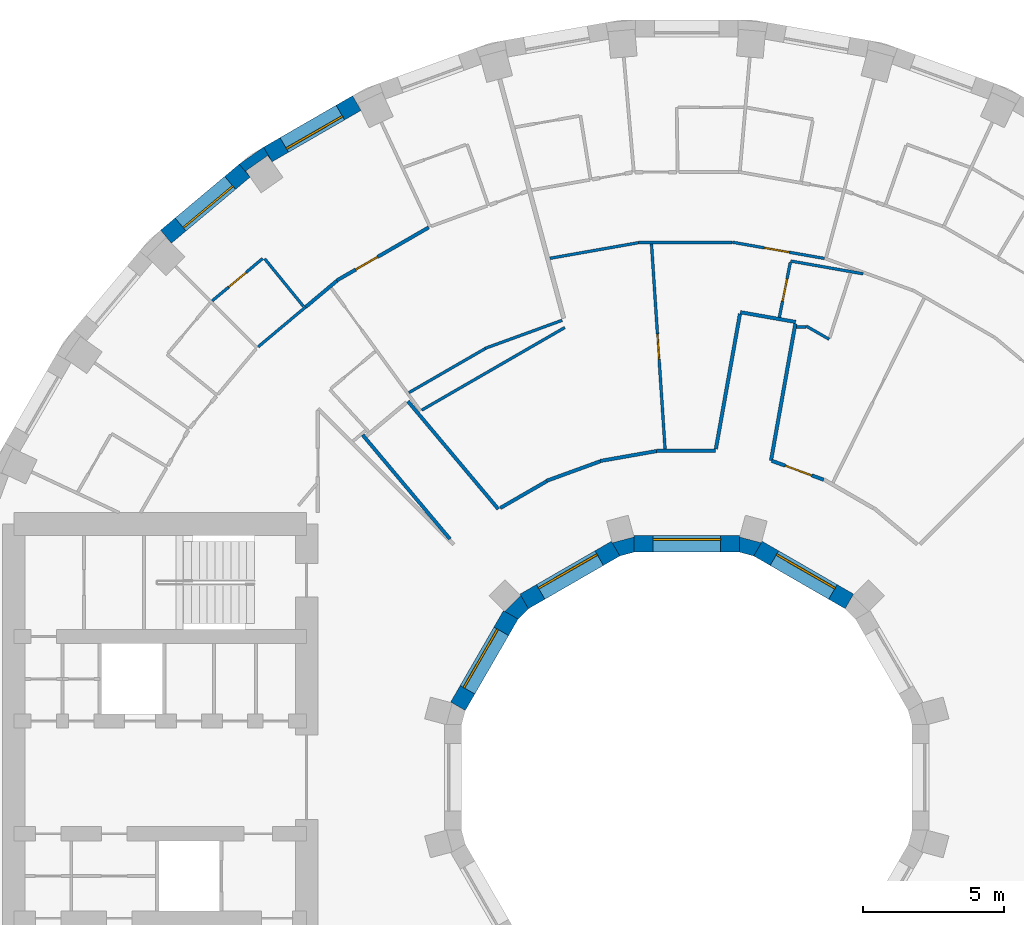
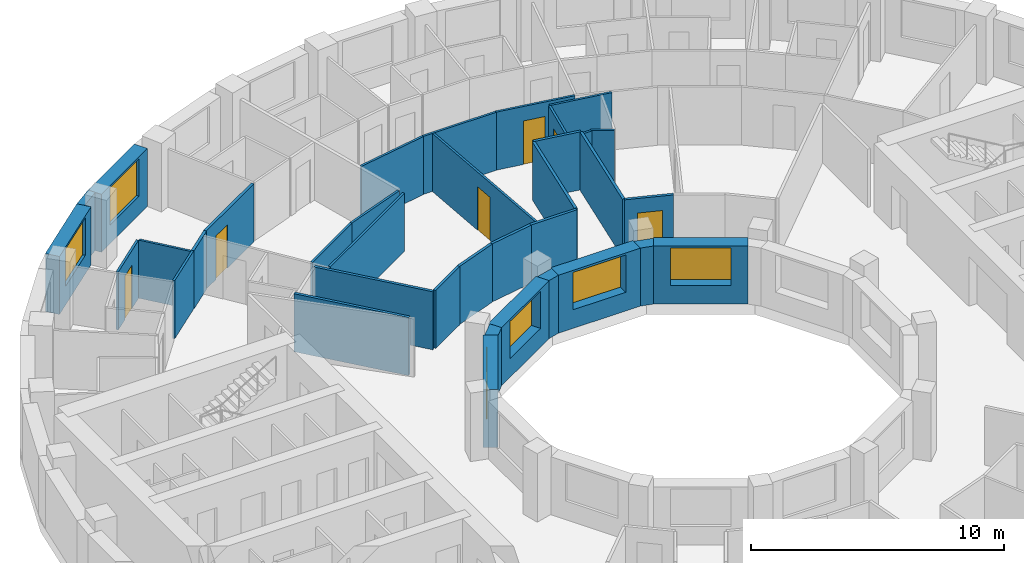
# One storey, part 12 of 16: 36 walls, 6 doors, 6 windows, 12 openings.
"""IFC4 building model written with IfcOpenShell, lengths in metres."""

from ifc_helpers import new_model, si_unit, direction, frame, frame_2d, origin, place, context, subcontext, project, spatial, polyline, rectangle, outline, extrude, material, layer, layer_set, type_object, element, fill, save


model = new_model("IFC4")

# Units and contexts
model_context = context("Model", 3, precision=1e-05, world=origin(), true_north=direction((0.0, 1.0)))
body_context = subcontext(model_context, "Body", "Model", "MODEL_VIEW")
ifc_project = project(units=[si_unit("LENGTHUNIT", "METRE"), si_unit("AREAUNIT", "SQUARE_METRE"), si_unit("VOLUMEUNIT", "CUBIC_METRE"), si_unit("PLANEANGLEUNIT", "RADIAN"), si_unit("MASSUNIT", "GRAM", prefix="KILO")], contexts=[model_context])

# Site, building, storey
site_placement = place(None, origin())
site = spatial("IfcSite", under=ifc_project, at=site_placement, CompositionType="ELEMENT")
building_placement = place(site_placement, origin())
building = spatial("IfcBuilding", under=site, at=building_placement, Name="Saqina Gate Tower", CompositionType="ELEMENT")
storey_placement = place(building_placement, frame((0.0, 0.0, 144.699951171875)))
storey = spatial("IfcBuildingStorey", under=building, at=storey_placement, Name="L41", CompositionType="ELEMENT", Elevation=144.699951171875)

# Wall
ifc_material_1 = material(Name="Brick masonry (buff)", Category="masonry")
wall_type_1 = type_object("IfcWallType", Name="BRICK PIER COPING BUFF", PredefinedType="SOLIDWALL", material=ifc_material_1)
wall_1_placement = place(storey_placement, origin())
element("IfcWall", 1, at=wall_1_placement, inside=storey, type_object=wall_type_1, Name="Pier cap L41 column 13", PredefinedType="SOLIDWALL", context=body_context, shape_type="SweptSolid", body=[
    extrude(outline(polyline([(-15.89208984375, 21.77685546875), (-15.50634765625, 21.317138671875), (-15.66064453125, 21.53759765625), (-14.88232421875, 22.08251953125), (-14.728271484375, 21.862060546875), (-15.0283203125, 22.3818359375), (-15.89208984375, 21.77685546875)])), origin(), (0.0, 0.0, 1.0), 2.800048828125),
])

# Wall, opening, window
ifc_material_2 = material(Name="Brick masonry (buff)", Category="masonry")
ifc_layer_1 = layer(ifc_material_2, 0.60009765625)
ifc_layer_set_1 = layer_set([ifc_layer_1], Name="FW-BRICK-BUFF")
wall_type_2 = type_object("IfcWallType", Name="FW-BRICK-BUFF", PredefinedType="SOLIDWALL", material=ifc_layer_set_1)
wall_2_placement = place(storey_placement, frame((-11.718994140625, 23.94580078125, 0.0), z_axis=(0.0, 0.0, 1.0), x_axis=(-0.866051847062, -0.499954196102, 0.0)))
wall_2 = element("IfcWall", 2, at=wall_2_placement, inside=storey, type_object=wall_type_2, Name="Facade wall L41 facet 12", PredefinedType="SOLIDWALL", context=body_context, shape_type="SweptSolid", body=[
    extrude(rectangle(XDim=3.647705078125, YDim=0.60009765625, at=frame_2d((1.82373046875, 0.0))), origin(), (0.0, 0.0, 1.0), 2.800048828125),
])
opening_1_placement = place(wall_2_placement, frame((0.673828125, 0.0, 0.89990234375)))
opening_1 = element("IfcOpeningElement", 3, at=opening_1_placement, cuts=wall_2, Name="Opening G12-W10", PredefinedType="OPENING", context=body_context, shape_type="SweptSolid", body=[
    extrude(rectangle(XDim=2.300048828125, YDim=1.800048828125, at=frame_2d((1.14990234375, 0.89990234375))), frame((0.0, 0.31201171875, 0.0), z_axis=(0.0, -1.0, 0.0), x_axis=(1.0, 0.0, 0.0)), (0.0, 0.0, 1.0), 0.6240234375),
])
ifc_material_3 = material(Name="Aluminium glazing", Category="aluminium")
window_type_1 = type_object("IfcWindowType", Name="WN-B", PartitioningType="SINGLE_PANEL", PredefinedType="WINDOW", material=ifc_material_3)
window_1_placement = place(opening_1_placement, origin())
window_1 = element("IfcWindow", 4, at=window_1_placement, inside=storey, type_object=window_type_1, Name="Window L41 facet 12", OverallHeight=1.800048828125, OverallWidth=2.300048828125, PartitioningType="SINGLE_PANEL", PredefinedType="WINDOW", context=body_context, shape_type="SweptSolid", body=[
    extrude(rectangle(XDim=2.300048828125, YDim=1.800048828125, at=frame_2d((1.14990234375, 0.89990234375))), frame((0.0, 0.179931640625, 0.0), z_axis=(0.0, -1.0, 0.0), x_axis=(1.0, 0.0, 0.0)), (0.0, 0.0, 1.0), 0.06005859375),
])
fill(opening_1, window_1)

wall_3_placement = place(storey_placement, frame((-15.69921875, 21.547119140625, 0.0), z_axis=(0.0, 0.0, 1.0), x_axis=(-0.766055462616, -0.642774476932, 0.0)))
wall_3 = element("IfcWall", 5, at=wall_3_placement, inside=storey, type_object=wall_type_2, Name="Facade wall L41 facet 13", PredefinedType="SOLIDWALL", context=body_context, shape_type="SweptSolid", body=[
    extrude(rectangle(XDim=3.647705078125, YDim=0.60009765625, at=frame_2d((1.82373046875, 0.0))), origin(), (0.0, 0.0, 1.0), 2.800048828125),
])
opening_2_placement = place(wall_3_placement, frame((0.673828125, 0.0, 0.89990234375)))
opening_2 = element("IfcOpeningElement", 6, at=opening_2_placement, cuts=wall_3, Name="Opening G12-W11", PredefinedType="OPENING", context=body_context, shape_type="SweptSolid", body=[
    extrude(rectangle(XDim=2.300048828125, YDim=1.800048828125, at=frame_2d((1.14990234375, 0.89990234375))), frame((0.0, 0.31201171875, 0.0), z_axis=(0.0, -1.0, 0.0), x_axis=(1.0, 0.0, 0.0)), (0.0, 0.0, 1.0), 0.6240234375),
])
window_2_placement = place(opening_2_placement, origin())
window_2 = element("IfcWindow", 7, at=window_2_placement, inside=storey, type_object=window_type_1, Name="Window L41 facet 13", OverallHeight=1.800048828125, OverallWidth=2.300048828125, PartitioningType="SINGLE_PANEL", PredefinedType="WINDOW", context=body_context, shape_type="SweptSolid", body=[
    extrude(rectangle(XDim=2.300048828125, YDim=1.800048828125, at=frame_2d((1.14990234375, 0.89990234375))), frame((0.0, 0.179931640625, 0.0), z_axis=(0.0, -1.0, 0.0), x_axis=(1.0, 0.0, 0.0)), (0.0, 0.0, 1.0), 0.06005859375),
])
fill(opening_2, window_2)

ifc_material_4 = material(Name="Glazed ceramic tile", Category="ceramic")
ifc_layer_2 = layer(ifc_material_4, 0.60009765625)
ifc_layer_set_2 = layer_set([ifc_layer_2], Name="IW-TILE")
wall_type_3 = type_object("IfcWallType", Name="IW-TILE", PredefinedType="SOLIDWALL", material=ifc_layer_set_2)
wall_4_placement = place(storey_placement, frame((5.772705078125, 6.251220703125, 0.0), z_axis=(0.0, 0.0, 1.0), x_axis=(-0.86604563398, 0.499964958637, 0.0)))
wall_4 = element("IfcWall", 8, at=wall_4_placement, inside=storey, type_object=wall_type_3, Name="Well wall L41 facet 2", PredefinedType="SOLIDWALL", context=body_context, shape_type="SweptSolid", body=[
    extrude(rectangle(XDim=3.747314453125, YDim=0.60009765625, at=frame_2d((1.87353515625, 0.0))), origin(), (0.0, 0.0, 1.0), 2.800048828125),
])
opening_3_placement = place(wall_4_placement, frame((0.673583984375, 0.0, 0.89990234375)))
opening_3 = element("IfcOpeningElement", 9, at=opening_3_placement, cuts=wall_4, Name="Opening G12-W24", PredefinedType="OPENING", context=body_context, shape_type="SweptSolid", body=[
    extrude(rectangle(XDim=2.39990234375, YDim=1.800048828125, at=frame_2d((1.199951171875, 0.89990234375))), frame((0.0, 0.31201171875, 0.0), z_axis=(0.0, -1.0, 0.0), x_axis=(1.0, 0.0, 0.0)), (0.0, 0.0, 1.0), 0.6240234375),
])
ifc_material_5 = material(Name="Aluminium glazing", Category="aluminium")
window_type_2 = type_object("IfcWindowType", Name="WN-W", PartitioningType="SINGLE_PANEL", PredefinedType="WINDOW", material=ifc_material_5)
window_3_placement = place(opening_3_placement, origin())
window_3 = element("IfcWindow", 10, at=window_3_placement, inside=storey, type_object=window_type_2, Name="Well window L41 facet 2", OverallHeight=1.800048828125, OverallWidth=2.39990234375, PartitioningType="SINGLE_PANEL", PredefinedType="WINDOW", context=body_context, shape_type="SweptSolid", body=[
    extrude(rectangle(XDim=2.39990234375, YDim=1.800048828125, at=frame_2d((1.199951171875, 0.89990234375))), frame((0.0, -0.119873046875, 0.0), z_axis=(0.0, -1.0, 0.0), x_axis=(1.0, 0.0, 0.0)), (0.0, 0.0, 1.0), 0.06005859375),
])
fill(opening_3, window_3)

wall_5_placement = place(storey_placement, frame((1.873779296875, 8.300048828125, 0.0), z_axis=(0.0, 0.0, 1.0), x_axis=(-1.0, 0.0, 0.0)))
wall_5 = element("IfcWall", 11, at=wall_5_placement, inside=storey, type_object=wall_type_3, Name="Well wall L41 facet 3", PredefinedType="SOLIDWALL", context=body_context, shape_type="SweptSolid", body=[
    extrude(rectangle(XDim=3.74755859375, YDim=0.60009765625, at=frame_2d((1.873779296875, 0.0))), origin(), (0.0, 0.0, 1.0), 2.800048828125),
])
opening_4_placement = place(wall_5_placement, frame((0.673583984375, 0.0, 0.89990234375)))
opening_4 = element("IfcOpeningElement", 12, at=opening_4_placement, cuts=wall_5, Name="Opening G12-W25", PredefinedType="OPENING", context=body_context, shape_type="SweptSolid", body=[
    extrude(rectangle(XDim=2.39990234375, YDim=1.800048828125, at=frame_2d((1.199951171875, 0.89990234375))), frame((0.0, 0.31201171875, 0.0), z_axis=(0.0, -1.0, 0.0), x_axis=(1.0, 0.0, 0.0)), (0.0, 0.0, 1.0), 0.6240234375),
])
window_4_placement = place(opening_4_placement, origin())
window_4 = element("IfcWindow", 13, at=window_4_placement, inside=storey, type_object=window_type_2, Name="Well window L41 facet 3", OverallHeight=1.800048828125, OverallWidth=2.39990234375, PartitioningType="SINGLE_PANEL", PredefinedType="WINDOW", context=body_context, shape_type="SweptSolid", body=[
    extrude(rectangle(XDim=2.39990234375, YDim=1.800048828125, at=frame_2d((1.199951171875, 0.89990234375))), frame((0.0, -0.119873046875, 0.0), z_axis=(0.0, -1.0, 0.0), x_axis=(1.0, 0.0, 0.0)), (0.0, 0.0, 1.0), 0.06005859375),
])
fill(opening_4, window_4)

wall_6_placement = place(storey_placement, frame((-2.52734375, 8.124755859375, 0.0), z_axis=(0.0, 0.0, 1.0), x_axis=(-0.86604563398, -0.499964958637, 0.0)))
wall_6 = element("IfcWall", 14, at=wall_6_placement, inside=storey, type_object=wall_type_3, Name="Well wall L41 facet 4", PredefinedType="SOLIDWALL", context=body_context, shape_type="SweptSolid", body=[
    extrude(rectangle(XDim=3.747314453125, YDim=0.60009765625, at=frame_2d((1.87353515625, 0.0))), origin(), (0.0, 0.0, 1.0), 2.800048828125),
])
opening_5_placement = place(wall_6_placement, frame((0.673583984375, 0.0, 0.89990234375)))
opening_5 = element("IfcOpeningElement", 15, at=opening_5_placement, cuts=wall_6, Name="Opening G12-W26", PredefinedType="OPENING", context=body_context, shape_type="SweptSolid", body=[
    extrude(rectangle(XDim=2.39990234375, YDim=1.800048828125, at=frame_2d((1.199951171875, 0.89990234375))), frame((0.0, 0.31201171875, 0.0), z_axis=(0.0, -1.0, 0.0), x_axis=(1.0, 0.0, 0.0)), (0.0, 0.0, 1.0), 0.6240234375),
])
window_5_placement = place(opening_5_placement, origin())
window_5 = element("IfcWindow", 16, at=window_5_placement, inside=storey, type_object=window_type_2, Name="Well window L41 facet 4", OverallHeight=1.800048828125, OverallWidth=2.39990234375, PartitioningType="SINGLE_PANEL", PredefinedType="WINDOW", context=body_context, shape_type="SweptSolid", body=[
    extrude(rectangle(XDim=2.39990234375, YDim=1.800048828125, at=frame_2d((1.199951171875, 0.89990234375))), frame((0.0, -0.119873046875, 0.0), z_axis=(0.0, -1.0, 0.0), x_axis=(1.0, 0.0, 0.0)), (0.0, 0.0, 1.0), 0.06005859375),
])
fill(opening_5, window_5)

wall_7_placement = place(storey_placement, frame((-6.251220703125, 5.772705078125, 0.0), z_axis=(0.0, 0.0, 1.0), x_axis=(-0.499964958637, -0.86604563398, 0.0)))
wall_7 = element("IfcWall", 17, at=wall_7_placement, inside=storey, type_object=wall_type_3, Name="Well wall L41 facet 5", PredefinedType="SOLIDWALL", context=body_context, shape_type="SweptSolid", body=[
    extrude(rectangle(XDim=3.747314453125, YDim=0.60009765625, at=frame_2d((1.87353515625, 0.0))), origin(), (0.0, 0.0, 1.0), 2.800048828125),
])
opening_6_placement = place(wall_7_placement, frame((0.673583984375, 0.0, 0.89990234375)))
opening_6 = element("IfcOpeningElement", 18, at=opening_6_placement, cuts=wall_7, Name="Opening G12-W27", PredefinedType="OPENING", context=body_context, shape_type="SweptSolid", body=[
    extrude(rectangle(XDim=2.39990234375, YDim=1.800048828125, at=frame_2d((1.199951171875, 0.89990234375))), frame((0.0, 0.31201171875, 0.0), z_axis=(0.0, -1.0, 0.0), x_axis=(1.0, 0.0, 0.0)), (0.0, 0.0, 1.0), 0.6240234375),
])
window_6_placement = place(opening_6_placement, origin())
window_6 = element("IfcWindow", 19, at=window_6_placement, inside=storey, type_object=window_type_2, Name="Well window L41 facet 5", OverallHeight=1.800048828125, OverallWidth=2.39990234375, PartitioningType="SINGLE_PANEL", PredefinedType="WINDOW", context=body_context, shape_type="SweptSolid", body=[
    extrude(rectangle(XDim=2.39990234375, YDim=1.800048828125, at=frame_2d((1.199951171875, 0.89990234375))), frame((0.0, -0.119873046875, 0.0), z_axis=(0.0, -1.0, 0.0), x_axis=(1.0, 0.0, 0.0)), (0.0, 0.0, 1.0), 0.06005859375),
])
fill(opening_6, window_6)

# Wall, opening, door
ifc_material_6 = material(Name="Gypsum board on steel studs, 100 mm", Category="steel")
ifc_layer_3 = layer(ifc_material_6, 0.10009765625)
ifc_layer_set_3 = layer_set([ifc_layer_3], Name="PARTITION 100")
wall_type_4 = type_object("IfcWallType", Name="PARTITION 100", PredefinedType="PARTITIONING", material=ifc_layer_set_3)
wall_8_placement = place(storey_placement, frame((-1.253662109375, 18.94921875, 0.0), z_axis=(0.0, 0.0, 1.0), x_axis=(0.066059696755, -0.997815672589, 0.0)))
wall_8 = element("IfcWall", 20, at=wall_8_placement, inside=storey, type_object=wall_type_4, Name="PARTITION PW3-02", PredefinedType="PARTITIONING", context=body_context, shape_type="SweptSolid", body=[
    extrude(rectangle(XDim=7.302734375, YDim=0.10009765625, at=frame_2d((3.6513671875, 0.0))), origin(), (0.0, 0.0, 1.0), 2.800048828125),
])
opening_7_placement = place(wall_8_placement, frame((3.20849609375, 0.0, 0.0)))
opening_7 = element("IfcOpeningElement", 21, at=opening_7_placement, cuts=wall_8, Name="Opening G12-D18", PredefinedType="OPENING", context=body_context, shape_type="SweptSolid", body=[
    extrude(rectangle(XDim=0.89990234375, YDim=2.10009765625, at=frame_2d((0.449951171875, 1.050048828125))), frame((0.0, 0.06201171875, 0.0), z_axis=(0.0, -1.0, 0.0), x_axis=(1.0, 0.0, 0.0)), (0.0, 0.0, 1.0), 0.1240234375),
])
ifc_material_7 = material(Name="Timber door leaf, 900 mm", Category="wood")
door_type_1 = type_object("IfcDoorType", Name="DOOR 900 TIMBER", OperationType="SINGLE_SWING_LEFT", PredefinedType="DOOR", material=ifc_material_7)
door_1_placement = place(opening_7_placement, origin())
door_1 = element("IfcDoor", 22, at=door_1_placement, inside=storey, type_object=door_type_1, Name="DOOR G12-D18", OperationType="SINGLE_SWING_RIGHT", OverallHeight=2.10009765625, OverallWidth=0.89990234375, PredefinedType="DOOR", context=body_context, shape_type="SweptSolid", body=[
    extrude(rectangle(XDim=0.89990234375, YDim=2.10009765625, at=frame_2d((0.449951171875, 1.050048828125))), frame((0.0, 0.02490234375, 0.0), z_axis=(0.0, -1.0, 0.0), x_axis=(1.0, 0.0, 0.0)), (0.0, 0.0, 1.0), 0.050048828125),
])
fill(opening_7, door_1)

# Walls
wall_9_placement = place(storey_placement, frame((-14.98876953125, 18.419189453125, 0.0), z_axis=(0.0, 0.0, 1.0), x_axis=(0.63124481093, -0.775583643893, 0.0)))
element("IfcWall", 23, at=wall_9_placement, inside=storey, type_object=wall_type_4, Name="PARTITION PW3-15", PredefinedType="PARTITIONING", context=body_context, shape_type="SweptSolid", body=[
    extrude(rectangle(XDim=2.18359375, YDim=0.10009765625, at=frame_2d((1.091796875, 0.0))), origin(), (0.0, 0.0, 1.0), 2.800048828125),
])
wall_10_placement = place(storey_placement, frame((4.238037109375, 16.03076171875, 0.0), z_axis=(0.0, 0.0, 1.0), x_axis=(0.866215708717, -0.499670237228, 0.0)))
element("IfcWall", 24, at=wall_10_placement, inside=storey, type_object=wall_type_4, Name="PARTITION PW3-41", PredefinedType="PARTITIONING", context=body_context, shape_type="SweptSolid", body=[
    extrude(rectangle(XDim=0.944580078125, YDim=0.10009765625, at=frame_2d((0.47216796875, 0.0))), origin(), (0.0, 0.0, 1.0), 2.800048828125),
])
wall_11_placement = place(storey_placement, frame((3.68798828125, 18.337890625, 0.0), z_axis=(0.0, 0.0, 1.0), x_axis=(0.984859586639, -0.173353957572, 0.0)))
element("IfcWall", 25, at=wall_11_placement, inside=storey, type_object=wall_type_4, Name="PARTITION PW3-56", PredefinedType="PARTITIONING", context=body_context, shape_type="SweptSolid", body=[
    extrude(rectangle(XDim=2.615234375, YDim=0.10009765625, at=frame_2d((1.3076171875, 0.0))), origin(), (0.0, 0.0, 1.0), 2.800048828125),
])

# Wall, opening, door
wall_12_placement = place(storey_placement, frame((1.612060546875, 19.0078125, 0.0), z_axis=(0.0, 0.0, 1.0), x_axis=(0.984770991222, -0.173856535243, 0.0)))
wall_12 = element("IfcWall", 26, at=wall_12_placement, inside=storey, type_object=wall_type_4, Name="PARTITION PW3-57", PredefinedType="PARTITIONING", context=body_context, shape_type="SweptSolid", body=[
    extrude(rectangle(XDim=3.3251953125, YDim=0.10009765625, at=frame_2d((1.66259765625, 0.0))), origin(), (0.0, 0.0, 1.0), 2.800048828125),
])
opening_8_placement = place(wall_12_placement, frame((1.1630859375, 0.0, 0.0)))
opening_8 = element("IfcOpeningElement", 27, at=opening_8_placement, cuts=wall_12, Name="Opening G12-D14", PredefinedType="OPENING", context=body_context, shape_type="SweptSolid", body=[
    extrude(rectangle(XDim=0.89990234375, YDim=2.10009765625, at=frame_2d((0.449951171875, 1.050048828125))), frame((0.0, 0.06201171875, 0.0), z_axis=(0.0, -1.0, 0.0), x_axis=(1.0, 0.0, 0.0)), (0.0, 0.0, 1.0), 0.1240234375),
])
door_2_placement = place(opening_8_placement, frame((0.89990234375, 0.0, 0.0), z_axis=(0.0, 0.0, 1.0), x_axis=(-1.0, 0.0, 0.0)))
door_2 = element("IfcDoor", 28, at=door_2_placement, inside=storey, type_object=door_type_1, Name="DOOR G12-D14", OperationType="SINGLE_SWING_LEFT", OverallHeight=2.10009765625, OverallWidth=0.89990234375, PredefinedType="DOOR", context=body_context, shape_type="SweptSolid", body=[
    extrude(rectangle(XDim=0.89990234375, YDim=2.10009765625, at=frame_2d((0.449951171875, 1.050048828125))), frame((0.0, 0.02490234375, 0.0), z_axis=(0.0, -1.0, 0.0), x_axis=(1.0, 0.0, 0.0)), (0.0, 0.0, 1.0), 0.050048828125),
])
fill(opening_8, door_2)

# Walls
wall_13_placement = place(storey_placement, frame((3.89892578125, 16.0, 0.0), z_axis=(0.0, 0.0, 1.0), x_axis=(1.0, 0.0, 0.0)))
element("IfcWall", 29, at=wall_13_placement, inside=storey, type_object=wall_type_4, Name="PARTITION PW3-60", PredefinedType="PARTITIONING", context=body_context, shape_type="SweptSolid", body=[
    extrude(rectangle(XDim=0.339111328125, YDim=0.10009765625, at=frame_2d((0.16943359375, 0.0))), origin(), (0.0, 0.0, 1.0), 2.800048828125),
])
wall_14_placement = place(storey_placement, frame((-1.712890625, 18.9990234375, 0.0), z_axis=(0.0, 0.0, 1.0), x_axis=(1.0, 0.0, 0.0)))
element("IfcWall", 30, at=wall_14_placement, inside=storey, type_object=wall_type_4, Name="PARTITION PW3-61", PredefinedType="PARTITIONING", context=body_context, shape_type="SweptSolid", body=[
    extrude(rectangle(XDim=3.324951171875, YDim=0.10009765625, at=frame_2d((1.66259765625, 0.0))), origin(), (0.0, 0.0, 1.0), 2.800048828125),
])
wall_15_placement = place(storey_placement, frame((-4.862060546875, 18.43408203125, 0.0), z_axis=(0.0, 0.0, 1.0), x_axis=(0.984777412926, 0.173820157031, 0.0)))
element("IfcWall", 31, at=wall_15_placement, inside=storey, type_object=wall_type_4, Name="PARTITION PW3-64", PredefinedType="PARTITIONING", context=body_context, shape_type="SweptSolid", body=[
    extrude(rectangle(XDim=3.199462890625, YDim=0.10009765625, at=frame_2d((1.599609375, 0.0))), origin(), (0.0, 0.0, 1.0), 2.800048828125),
])
wall_16_placement = place(storey_placement, frame((-7.16064453125, 15.237548828125, 0.0), z_axis=(0.0, 0.0, 1.0), x_axis=(0.939722354216, 0.341938440346, 0.0)))
element("IfcWall", 32, at=wall_16_placement, inside=storey, type_object=wall_type_4, Name="PARTITION PW3-69", PredefinedType="PARTITIONING", context=body_context, shape_type="SweptSolid", body=[
    extrude(rectangle(XDim=2.909423828125, YDim=0.10009765625, at=frame_2d((1.45458984375, 0.0))), origin(), (0.0, 0.0, 1.0), 2.800048828125),
])
wall_17_placement = place(storey_placement, frame((-9.413818359375, 13.04296875, 0.0), z_axis=(0.0, 0.0, 1.0), x_axis=(0.866050468633, 0.499956583896, 0.0)))
element("IfcWall", 33, at=wall_17_placement, inside=storey, type_object=wall_type_4, Name="PARTITION PW3-75", PredefinedType="PARTITIONING", context=body_context, shape_type="SweptSolid", body=[
    extrude(rectangle(XDim=5.8671875, YDim=0.10009765625, at=frame_2d((2.93359375, 0.0))), origin(), (0.0, 0.0, 1.0), 2.800048828125),
])
wall_18_placement = place(storey_placement, frame((-9.8662109375, 13.66552734375, 0.0), z_axis=(0.0, 0.0, 1.0), x_axis=(0.866045268016, 0.499965592563, 0.0)))
element("IfcWall", 34, at=wall_18_placement, inside=storey, type_object=wall_type_4, Name="PARTITION PW3-76", PredefinedType="PARTITIONING", context=body_context, shape_type="SweptSolid", body=[
    extrude(rectangle(XDim=3.129150390625, YDim=0.10009765625, at=frame_2d((1.564453125, 0.0))), origin(), (0.0, 0.0, 1.0), 2.800048828125),
])
wall_19_placement = place(storey_placement, frame((-15.2197265625, 15.2919921875, 0.0), z_axis=(0.0, 0.0, 1.0), x_axis=(0.766073622953, 0.642752832911, 0.0)))
element("IfcWall", 35, at=wall_19_placement, inside=storey, type_object=wall_type_4, Name="PARTITION PW3-85", PredefinedType="PARTITIONING", context=body_context, shape_type="SweptSolid", body=[
    extrude(rectangle(XDim=2.203369140625, YDim=0.10009765625, at=frame_2d((1.1015625, 0.0))), origin(), (0.0, 0.0, 1.0), 2.800048828125),
])

# Wall, opening, door
wall_20_placement = place(storey_placement, frame((-16.852783203125, 16.923095703125, 0.0), z_axis=(0.0, 0.0, 1.0), x_axis=(0.765924716163, 0.642930267735, 0.0)))
wall_20 = element("IfcWall", 36, at=wall_20_placement, inside=storey, type_object=wall_type_4, Name="PARTITION PW3-86", PredefinedType="PARTITIONING", context=body_context, shape_type="SweptSolid", body=[
    extrude(rectangle(XDim=2.34033203125, YDim=0.10009765625, at=frame_2d((1.170166015625, 0.0))), origin(), (0.0, 0.0, 1.0), 2.800048828125),
])
opening_9_placement = place(wall_20_placement, frame((0.769287109375, 0.0, 0.0)))
opening_9 = element("IfcOpeningElement", 37, at=opening_9_placement, cuts=wall_20, Name="Opening G12-D26", PredefinedType="OPENING", context=body_context, shape_type="SweptSolid", body=[
    extrude(rectangle(XDim=0.800048828125, YDim=2.10009765625, at=frame_2d((0.39990234375, 1.050048828125))), frame((0.0, 0.06201171875, 0.0), z_axis=(0.0, -1.0, 0.0), x_axis=(1.0, 0.0, 0.0)), (0.0, 0.0, 1.0), 0.1240234375),
])
ifc_material_8 = material(Name="Timber door leaf, 800 mm", Category="wood")
door_type_2 = type_object("IfcDoorType", Name="DOOR 800 TIMBER", OperationType="SINGLE_SWING_LEFT", PredefinedType="DOOR", material=ifc_material_8)
door_3_placement = place(opening_9_placement, origin())
door_3 = element("IfcDoor", 38, at=door_3_placement, inside=storey, type_object=door_type_2, Name="DOOR G12-D26", OperationType="SINGLE_SWING_LEFT", OverallHeight=2.10009765625, OverallWidth=0.800048828125, PredefinedType="DOOR", context=body_context, shape_type="SweptSolid", body=[
    extrude(rectangle(XDim=0.800048828125, YDim=2.10009765625, at=frame_2d((0.39990234375, 1.050048828125))), frame((0.0, 0.02490234375, 0.0), z_axis=(0.0, -1.0, 0.0), x_axis=(1.0, 0.0, 0.0)), (0.0, 0.0, 1.0), 0.050048828125),
])
fill(opening_9, door_3)

wall_21_placement = place(storey_placement, frame((3.285400390625, 16.34033203125, 0.0), z_axis=(0.0, 0.0, 1.0), x_axis=(0.197131685641, 0.980377018558, 0.0)))
wall_21 = element("IfcWall", 39, at=wall_21_placement, inside=storey, type_object=wall_type_4, Name="PARTITION PW3-114", PredefinedType="PARTITIONING", context=body_context, shape_type="SweptSolid", body=[
    extrude(rectangle(XDim=1.98779296875, YDim=0.10009765625, at=frame_2d((0.993896484375, 0.0))), origin(), (0.0, 0.0, 1.0), 2.800048828125),
])
opening_10_placement = place(wall_21_placement, frame((0.587158203125, 0.0, 0.0)))
opening_10 = element("IfcOpeningElement", 40, at=opening_10_placement, cuts=wall_21, Name="Opening G12-D13", PredefinedType="OPENING", context=body_context, shape_type="SweptSolid", body=[
    extrude(rectangle(XDim=0.800048828125, YDim=2.10009765625, at=frame_2d((0.39990234375, 1.050048828125))), frame((0.0, 0.06201171875, 0.0), z_axis=(0.0, -1.0, 0.0), x_axis=(1.0, 0.0, 0.0)), (0.0, 0.0, 1.0), 0.1240234375),
])
door_4_placement = place(opening_10_placement, origin())
door_4 = element("IfcDoor", 41, at=door_4_placement, inside=storey, type_object=door_type_2, Name="DOOR G12-D13", OperationType="SINGLE_SWING_LEFT", OverallHeight=2.10009765625, OverallWidth=0.800048828125, PredefinedType="DOOR", context=body_context, shape_type="SweptSolid", body=[
    extrude(rectangle(XDim=0.800048828125, YDim=2.10009765625, at=frame_2d((0.39990234375, 1.050048828125))), frame((0.0, 0.02490234375, 0.0), z_axis=(0.0, -1.0, 0.0), x_axis=(1.0, 0.0, 0.0)), (0.0, 0.0, 1.0), 0.050048828125),
])
fill(opening_10, door_4)

# Walls
ifc_material_9 = material(Name="Gypsum board on steel studs, 125 mm, fire rated", Category="steel")
ifc_layer_4 = layer(ifc_material_9, 0.125)
ifc_layer_set_4 = layer_set([ifc_layer_4], Name="PARTITION EI 30 125")
wall_type_5 = type_object("IfcWallType", Name="PARTITION EI 30 125", PredefinedType="PARTITIONING", material=ifc_layer_set_4)
wall_22_placement = place(storey_placement, frame((-11.51123046875, 12.16357421875, 0.0), z_axis=(0.0, 0.0, 1.0), x_axis=(0.64269368401, -0.766123246308, 0.0)))
element("IfcWall", 42, at=wall_22_placement, inside=storey, type_object=wall_type_5, Name="PARTITION PW1-05", PredefinedType="PARTITIONING", context=body_context, shape_type="SweptSolid", body=[
    extrude(rectangle(XDim=4.826171875, YDim=0.125, at=frame_2d((2.4130859375, 0.0))), origin(), (0.0, 0.0, 1.0), 2.800048828125),
])
wall_23_placement = place(storey_placement, frame((-9.904052734375, 13.35888671875, 0.0), z_axis=(0.0, 0.0, 1.0), x_axis=(0.64260671374, -0.766196196451, 0.0)))
element("IfcWall", 43, at=wall_23_placement, inside=storey, type_object=wall_type_5, Name="PARTITION PW1-07", PredefinedType="PARTITIONING", context=body_context, shape_type="SweptSolid", body=[
    extrude(rectangle(XDim=4.999755859375, YDim=0.125, at=frame_2d((2.5, 0.0))), origin(), (0.0, 0.0, 1.0), 2.800048828125),
])

# Wall, opening, door
wall_24_placement = place(storey_placement, frame((3.012939453125, 11.24609375, 0.0), z_axis=(0.0, 0.0, 1.0), x_axis=(0.939532310436, -0.342460271633, 0.0)))
wall_24 = element("IfcWall", 44, at=wall_24_placement, inside=storey, type_object=wall_type_5, Name="PARTITION PW1-23", PredefinedType="PARTITIONING", context=body_context, shape_type="SweptSolid", body=[
    extrude(rectangle(XDim=1.967529296875, YDim=0.125, at=frame_2d((0.98388671875, 0.0))), origin(), (0.0, 0.0, 1.0), 2.800048828125),
])
opening_11_placement = place(wall_24_placement, frame((0.514892578125, 0.0, 0.0)))
opening_11 = element("IfcOpeningElement", 45, at=opening_11_placement, cuts=wall_24, Name="Opening G12-D10", PredefinedType="OPENING", context=body_context, shape_type="SweptSolid", body=[
    extrude(rectangle(XDim=1.0, YDim=2.10009765625, at=frame_2d((0.5, 1.050048828125))), frame((0.0, 0.074462890625, 0.0), z_axis=(0.0, -1.0, 0.0), x_axis=(1.0, 0.0, 0.0)), (0.0, 0.0, 1.0), 0.14892578125),
])
ifc_material_10 = material(Name="Fire door leaf EI 30, 1000 mm")
door_type_3 = type_object("IfcDoorType", Name="DOOR 1000 EI 30", OperationType="SINGLE_SWING_LEFT", PredefinedType="DOOR", material=ifc_material_10)
door_5_placement = place(opening_11_placement, origin())
door_5 = element("IfcDoor", 46, at=door_5_placement, inside=storey, type_object=door_type_3, Name="DOOR G12-D10", OperationType="SINGLE_SWING_LEFT", OverallHeight=2.10009765625, OverallWidth=1.0, PredefinedType="DOOR", context=body_context, shape_type="SweptSolid", body=[
    extrude(rectangle(XDim=1.0, YDim=2.10009765625, at=frame_2d((0.5, 1.050048828125))), frame((0.0, 0.02490234375, 0.0), z_axis=(0.0, -1.0, 0.0), x_axis=(1.0, 0.0, 0.0)), (0.0, 0.0, 1.0), 0.050048828125),
])
fill(opening_11, door_5)

# Walls
wall_25_placement = place(storey_placement, frame((1.89892578125, 16.520751953125, 0.0), z_axis=(0.0, 0.0, 1.0), x_axis=(0.984836400178, -0.173485633079, 0.0)))
element("IfcWall", 47, at=wall_25_placement, inside=storey, type_object=wall_type_5, Name="PARTITION PW1-26", PredefinedType="PARTITIONING", context=body_context, shape_type="SweptSolid", body=[
    extrude(rectangle(XDim=1.998291015625, YDim=0.125, at=frame_2d((0.9990234375, 0.0))), origin(), (0.0, 0.0, 1.0), 2.800048828125),
])
wall_26_placement = place(storey_placement, frame((-1.078369140625, 11.60009765625, 0.0), z_axis=(0.0, 0.0, 1.0), x_axis=(1.0, 0.0, 0.0)))
element("IfcWall", 48, at=wall_26_placement, inside=storey, type_object=wall_type_5, Name="PARTITION PW1-29", PredefinedType="PARTITIONING", context=body_context, shape_type="SweptSolid", body=[
    extrude(rectangle(XDim=2.09326171875, YDim=0.125, at=frame_2d((1.046630859375, 0.0))), origin(), (0.0, 0.0, 1.0), 2.800048828125),
])
wall_27_placement = place(storey_placement, frame((-3.076171875, 11.237060546875, 0.0), z_axis=(0.0, 0.0, 1.0), x_axis=(0.984851276096, 0.173401164851, 0.0)))
element("IfcWall", 49, at=wall_27_placement, inside=storey, type_object=wall_type_5, Name="PARTITION PW1-32", PredefinedType="PARTITIONING", context=body_context, shape_type="SweptSolid", body=[
    extrude(rectangle(XDim=2.0302734375, YDim=0.125, at=frame_2d((1.01513671875, 0.0))), origin(), (0.0, 0.0, 1.0), 2.800048828125),
])
wall_28_placement = place(storey_placement, frame((-4.980712890625, 10.53125, 0.0), z_axis=(0.0, 0.0, 1.0), x_axis=(0.939529919943, 0.342466829826, 0.0)))
element("IfcWall", 50, at=wall_28_placement, inside=storey, type_object=wall_type_5, Name="PARTITION PW1-36", PredefinedType="PARTITIONING", context=body_context, shape_type="SweptSolid", body=[
    extrude(rectangle(XDim=2.031005859375, YDim=0.125, at=frame_2d((1.015625, 0.0))), origin(), (0.0, 0.0, 1.0), 2.800048828125),
])
wall_29_placement = place(storey_placement, frame((-6.623779296875, 9.567138671875, 0.0), z_axis=(0.0, 0.0, 1.0), x_axis=(0.865978549379, 0.500081145431, 0.0)))
element("IfcWall", 51, at=wall_29_placement, inside=storey, type_object=wall_type_5, Name="PARTITION PW1-40", PredefinedType="PARTITIONING", context=body_context, shape_type="SweptSolid", body=[
    extrude(rectangle(XDim=1.905029296875, YDim=0.125, at=frame_2d((0.95263671875, 0.0))), origin(), (0.0, 0.0, 1.0), 2.800048828125),
])

# Wall, opening, door
wall_30_placement = place(storey_placement, frame((-12.431884765625, 17.64501953125, 0.0), z_axis=(0.0, 0.0, 1.0), x_axis=(0.866012062527, 0.500023107024, 0.0)))
wall_30 = element("IfcWall", 52, at=wall_30_placement, inside=storey, type_object=wall_type_5, Name="PARTITION PW1-41", PredefinedType="PARTITIONING", context=body_context, shape_type="SweptSolid", body=[
    extrude(rectangle(XDim=3.772216796875, YDim=0.125, at=frame_2d((1.88623046875, 0.0))), origin(), (0.0, 0.0, 1.0), 2.800048828125),
])
opening_12_placement = place(wall_30_placement, frame((0.783203125, 0.0, 0.0)))
opening_12 = element("IfcOpeningElement", 53, at=opening_12_placement, cuts=wall_30, Name="Opening G12-D23", PredefinedType="OPENING", context=body_context, shape_type="SweptSolid", body=[
    extrude(rectangle(XDim=0.89990234375, YDim=2.10009765625, at=frame_2d((0.449951171875, 1.050048828125))), frame((0.0, 0.074462890625, 0.0), z_axis=(0.0, -1.0, 0.0), x_axis=(1.0, 0.0, 0.0)), (0.0, 0.0, 1.0), 0.14892578125),
])
ifc_material_11 = material(Name="Fire door leaf EI 30, 900 mm")
door_type_4 = type_object("IfcDoorType", Name="DOOR 900 EI 30", OperationType="SINGLE_SWING_LEFT", PredefinedType="DOOR", material=ifc_material_11)
door_6_placement = place(opening_12_placement, origin())
door_6 = element("IfcDoor", 54, at=door_6_placement, inside=storey, type_object=door_type_4, Name="DOOR G12-D23", OperationType="SINGLE_SWING_LEFT", OverallHeight=2.10009765625, OverallWidth=0.89990234375, PredefinedType="DOOR", context=body_context, shape_type="SweptSolid", body=[
    extrude(rectangle(XDim=0.89990234375, YDim=2.10009765625, at=frame_2d((0.449951171875, 1.050048828125))), frame((0.0, 0.02490234375, 0.0), z_axis=(0.0, -1.0, 0.0), x_axis=(1.0, 0.0, 0.0)), (0.0, 0.0, 1.0), 0.050048828125),
])
fill(opening_12, door_6)

# Walls
wall_31_placement = place(storey_placement, frame((-13.53173828125, 16.708251953125, 0.0), z_axis=(0.0, 0.0, 1.0), x_axis=(0.766167387458, 0.642641061866, 0.0)))
element("IfcWall", 55, at=wall_31_placement, inside=storey, type_object=wall_type_5, Name="PARTITION PW1-47", PredefinedType="PARTITIONING", context=body_context, shape_type="SweptSolid", body=[
    extrude(rectangle(XDim=1.44482421875, YDim=0.125, at=frame_2d((0.722412109375, 0.0))), origin(), (0.0, 0.0, 1.0), 2.800048828125),
])
wall_32_placement = place(storey_placement, frame((2.990234375, 11.252685546875, 0.0), z_axis=(0.0, 0.0, 1.0), x_axis=(0.175376377953, 0.984501460667, 0.0)))
element("IfcWall", 56, at=wall_32_placement, inside=storey, type_object=wall_type_5, Name="PARTITION PW1-56", PredefinedType="PARTITIONING", context=body_context, shape_type="SweptSolid", body=[
    extrude(rectangle(XDim=4.936279296875, YDim=0.125, at=frame_2d((2.46826171875, 0.0))), origin(), (0.0, 0.0, 1.0), 2.800048828125),
])
wall_33_placement = place(storey_placement, frame((1.03173828125, 11.66064453125, 0.0), z_axis=(0.0, 0.0, 1.0), x_axis=(0.175547946832, 0.984470882435, 0.0)))
element("IfcWall", 57, at=wall_33_placement, inside=storey, type_object=wall_type_5, Name="PARTITION PW1-57", PredefinedType="PARTITIONING", context=body_context, shape_type="SweptSolid", body=[
    extrude(rectangle(XDim=4.87451171875, YDim=0.125, at=frame_2d((2.437255859375, 0.0))), origin(), (0.0, 0.0, 1.0), 2.800048828125),
])
ifc_material_12 = material(Name="Glazed ceramic tile", Category="ceramic")
wall_type_6 = type_object("IfcWallType", Name="TILE PIER COPING", PredefinedType="SOLIDWALL", material=ifc_material_12)
wall_34_placement = place(storey_placement, origin())
element("IfcWall", 58, at=wall_34_placement, inside=storey, type_object=wall_type_6, Name="Well pier cap L41 column 3", PredefinedType="SOLIDWALL", context=body_context, shape_type="SweptSolid", body=[
    extrude(outline(polyline([(1.873779296875, 8.5380859375), (1.873779296875, 8.0), (2.377197265625, 7.864990234375), (2.646484375, 8.3310546875), (1.873779296875, 8.5380859375)])), origin(), (0.0, 0.0, 1.0), 2.800048828125),
])
wall_35_placement = place(storey_placement, origin())
element("IfcWall", 59, at=wall_35_placement, inside=storey, type_object=wall_type_6, Name="Well pier cap L41 column 4", PredefinedType="SOLIDWALL", context=body_context, shape_type="SweptSolid", body=[
    extrude(outline(polyline([(-2.646484375, 8.3310546875), (-2.377197265625, 7.864990234375), (-1.873779296875, 8.0), (-1.873779296875, 8.5380859375), (-2.646484375, 8.3310546875)])), origin(), (0.0, 0.0, 1.0), 2.800048828125),
])
wall_36_placement = place(storey_placement, origin())
element("IfcWall", 60, at=wall_36_placement, inside=storey, type_object=wall_type_6, Name="Well pier cap L41 column 5", PredefinedType="SOLIDWALL", context=body_context, shape_type="SweptSolid", body=[
    extrude(outline(polyline([(-6.45751953125, 5.891845703125), (-5.991455078125, 5.622802734375), (-5.622802734375, 5.991455078125), (-5.891845703125, 6.45751953125), (-6.45751953125, 5.891845703125)])), origin(), (0.0, 0.0, 1.0), 2.800048828125),
])

save(model, "model.ifc")
